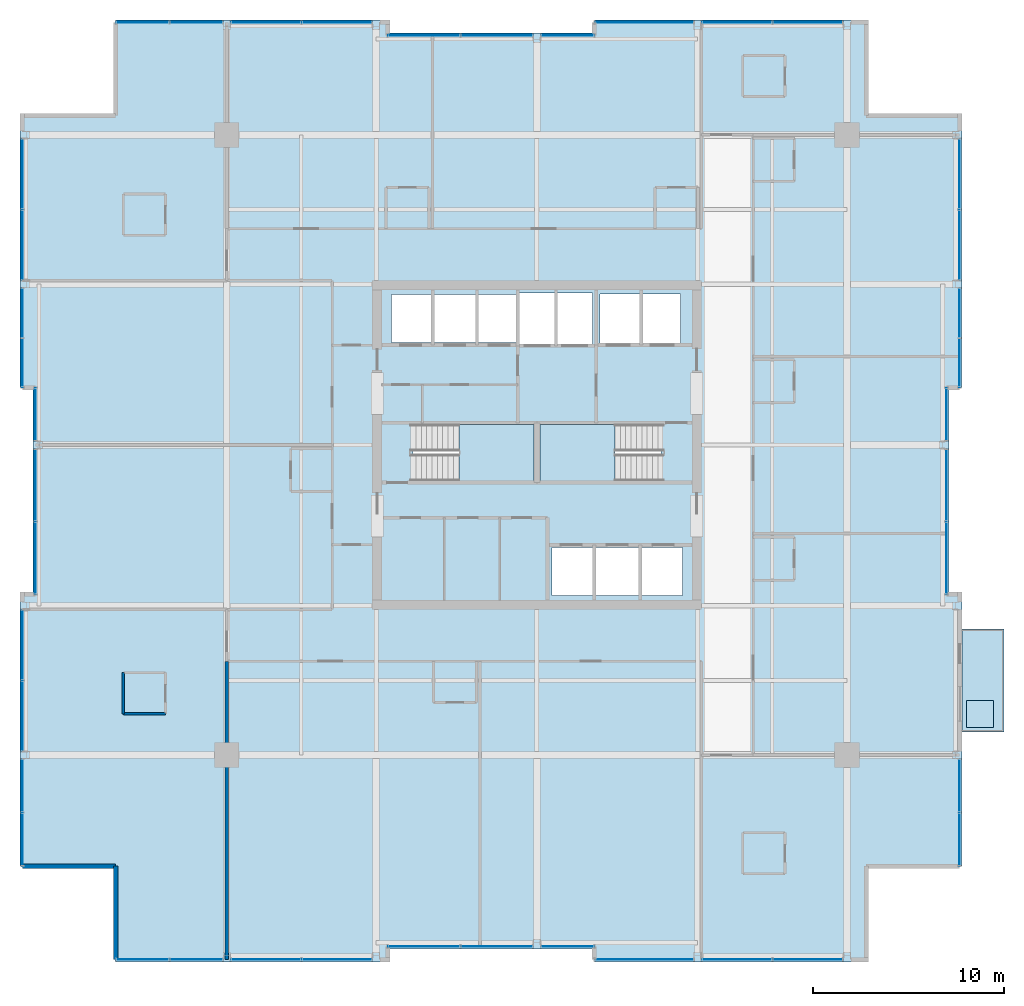
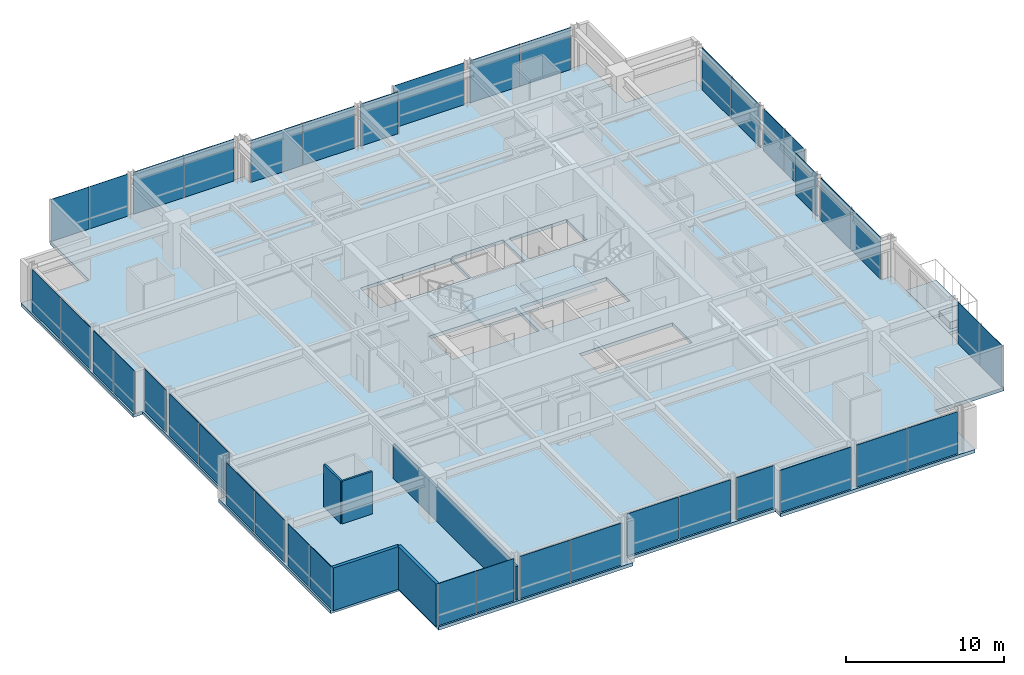
# One storey, part 26 of 32: 40 plates, 5 slabs, 5 walls, 25 elements without a shape of their own.
"""IFC4 building model written with IfcOpenShell, lengths in metres."""

from ifc_helpers import new_model, si_unit, direction, frame, frame_2d, origin, origin_2d, place, context, subcontext, project, spatial, polyline, rectangle, outline, extrude, material, layer, layer_set, type_object, element, aggregate, save


model = new_model("IFC4")

# Units and contexts
model_context = context("Model", 3, precision=1e-05, world=origin(), true_north=direction((0.0, 1.0)))
body_context = subcontext(model_context, "Body", "Model", "MODEL_VIEW")
ifc_project = project(units=[si_unit("LENGTHUNIT", "METRE"), si_unit("AREAUNIT", "SQUARE_METRE"), si_unit("VOLUMEUNIT", "CUBIC_METRE"), si_unit("PLANEANGLEUNIT", "RADIAN"), si_unit("MASSUNIT", "GRAM", prefix="KILO")], contexts=[model_context])

# Site, building, storey
site_placement = place(None, origin())
site = spatial("IfcSite", under=ifc_project, at=site_placement, CompositionType="ELEMENT")
building_placement = place(site_placement, origin())
building = spatial("IfcBuilding", under=site, at=building_placement, Name="Drelvath Grand Hotel", CompositionType="ELEMENT")
storey_placement = place(building_placement, frame((0.0, 0.0, 164.60009765625)))
storey = spatial("IfcBuildingStorey", under=building, at=storey_placement, Name="L42", CompositionType="ELEMENT", Elevation=164.60009765625)

# Slabs
ifc_material_1 = material(Name="Concrete f'c 40 MPa", Category="concrete")
ifc_layer_1 = layer(ifc_material_1, 0.239990234375)
ifc_layer_set_1 = layer_set([ifc_layer_1], Name="Concrete f'c 40 MPa")
slab_type_1 = type_object("IfcSlabType", Name="Cantilevered Tree Balcony Slab 240", PredefinedType="FLOOR", material=ifc_layer_set_1)
slab_1_placement = place(storey_placement, frame((0.0, 0.0, -0.239990234375)))
element("IfcSlab", 1, at=slab_1_placement, inside=storey, type_object=slab_type_1, Name="L42 Cantilevered Tree Balcony Slab 1", PredefinedType="FLOOR", context=body_context, shape_type="SweptSolid", body=[
    extrude(outline(polyline([(22.199951171875, 12.0), (24.39990234375, 12.0), (24.39990234375, 17.39990234375), (22.199951171875, 17.39990234375), (22.199951171875, 12.0)])), origin(), (0.0, 0.0, 1.0), 0.239990234375),
])
ifc_layer_2 = layer(ifc_material_1, 0.260009765625)
ifc_layer_set_2 = layer_set([ifc_layer_2], Name="Concrete f'c 40 MPa")
slab_type_2 = type_object("IfcSlabType", Name="Composite RC Floor Slab 260", PredefinedType="FLOOR", material=ifc_layer_set_2)
slab_2_placement = place(storey_placement, frame((0.0, 0.0, -0.260009765625)))
element("IfcSlab", 2, at=slab_2_placement, inside=storey, type_object=slab_type_2, Name="L42 Structural Floor Slab", PredefinedType="FLOOR", context=body_context, shape_type="SweptSolid", body=[
    extrude(outline(polyline([(-22.0, 0.0), (-7.800048828125, 0.0), (-7.800048828125, 0.679931640625), (3.0, 0.679931640625), (3.0, 0.0), (17.199951171875, 0.0), (17.199951171875, 5.0), (22.199951171875, 5.0), (22.199951171875, 19.199951171875), (21.52001953125, 19.199951171875), (21.52001953125, 30.0), (22.199951171875, 30.0), (22.199951171875, 44.199951171875), (17.199951171875, 44.199951171875), (17.199951171875, 49.199951171875), (3.0, 49.199951171875), (3.0, 48.52001953125), (-7.800048828125, 48.52001953125), (-7.800048828125, 49.199951171875), (-22.0, 49.199951171875), (-22.0, 44.199951171875), (-27.0, 44.199951171875), (-27.0, 30.0), (-26.320068359375, 30.0), (-26.320068359375, 19.199951171875), (-27.0, 19.199951171875), (-27.0, 5.0), (-22.0, 5.0), (-22.0, 0.0)]), holes=[polyline([(-6.47998046875, 25.1201171875), (-6.47998046875, 28.080078125), (-0.14990234375, 28.080078125), (-0.14990234375, 25.1201171875), (-6.47998046875, 25.1201171875)]), polyline([(0.14990234375, 25.1201171875), (0.14990234375, 28.080078125), (6.47998046875, 28.080078125), (6.47998046875, 25.1201171875), (0.14990234375, 25.1201171875)]), polyline([(0.800048828125, 19.14990234375), (0.800048828125, 21.64990234375), (7.60009765625, 21.64990234375), (7.60009765625, 19.14990234375), (0.800048828125, 19.14990234375)]), polyline([(-7.60009765625, 32.35009765625), (-7.60009765625, 34.85009765625), (-1.02001953125, 34.85009765625), (-1.02001953125, 32.35009765625), (-7.60009765625, 32.35009765625)]), polyline([(-0.89990234375, 32.25), (-0.89990234375, 34.949951171875), (2.89990234375, 34.949951171875), (2.89990234375, 32.25), (-0.89990234375, 32.25)]), polyline([(3.300048828125, 32.300048828125), (3.300048828125, 34.89990234375), (7.5, 34.89990234375), (7.5, 32.300048828125), (3.300048828125, 32.300048828125)])]), origin(), (0.0, 0.0, 1.0), 0.260009765625),
])

# Stair, slab
ifc_material_2 = material(Name="Concrete C40/50", Category="concrete")
stair_type = type_object("IfcStairType", Name="Dogleg Exit Stair W1400-R177.5", PredefinedType="HALF_TURN_STAIR", material=ifc_material_2)
stair_1_placement = place(storey_placement, origin())
stair_1 = element("IfcStair", 3, at=stair_1_placement, inside=storey, type_object=stair_type, Name="L42 Core Exit Stair ST-1", PredefinedType="HALF_TURN_STAIR")
ifc_layer_3 = layer(ifc_material_2, 0.199951171875)
ifc_layer_set_3 = layer_set([ifc_layer_3], Name="Concrete C40/50")
slab_type_3 = type_object("IfcSlabType", Name="Concrete Stair Landing Slab 200", PredefinedType="LANDING", material=ifc_layer_set_3)
slab_3_placement = place(storey_placement, frame((0.0, 0.0, 1.574951171875)))
slab_3 = element("IfcSlab", 4, at=slab_3_placement, type_object=slab_type_3, Name="ST-1 landing 1", PredefinedType="LANDING", context=body_context, shape_type="SweptSolid", body=[
    extrude(outline(polyline([(-4.080078125, 25.1201171875), (-0.14990234375, 25.1201171875), (-0.14990234375, 28.080078125), (-4.080078125, 28.080078125), (-4.080078125, 25.1201171875)])), origin(), (0.0, 0.0, 1.0), 0.199951171875),
])
aggregate(stair_1, [slab_3])

stair_2_placement = place(storey_placement, origin())
stair_2 = element("IfcStair", 5, at=stair_2_placement, inside=storey, type_object=stair_type, Name="L42 Core Exit Stair ST-2", PredefinedType="HALF_TURN_STAIR")
slab_4_placement = place(storey_placement, frame((0.0, 0.0, 1.574951171875)))
slab_4 = element("IfcSlab", 6, at=slab_4_placement, type_object=slab_type_3, Name="ST-2 landing 1", PredefinedType="LANDING", context=body_context, shape_type="SweptSolid", body=[
    extrude(outline(polyline([(4.080078125, 28.080078125), (0.14990234375, 28.080078125), (0.14990234375, 25.1201171875), (4.080078125, 25.1201171875), (4.080078125, 28.080078125)])), origin(), (0.0, 0.0, 1.0), 0.199951171875),
])
aggregate(stair_2, [slab_4])

# Curtain wall, plates
ifc_material_3 = material(Name="Brushed Pale-Silver Anodised Aluminium Frame", Category="aluminium")
ifc_layer_4 = layer(ifc_material_3, 0.199951171875)
ifc_layer_set_4 = layer_set([ifc_layer_4], Name="Brushed Pale-Silver Anodised Aluminium Frame")
curtain_wall_type = type_object("IfcCurtainWallType", Name="Stick Curtain Wall CW-04 Brushed Silver Upper-Mid", PredefinedType="NOTDEFINED", material=ifc_layer_set_4)
curtain_wall_1_placement = place(storey_placement, origin())
curtain_wall_1 = element("IfcCurtainWall", 7, at=curtain_wall_1_placement, inside=storey, type_object=curtain_wall_type, Name="L42 CW-04 Curtain Wall CW04-L42-WS1", PredefinedType="NOTDEFINED")
ifc_material_4 = material(Name="Low-E Triple Silver Vision Glass Cool", Category="glass")
ifc_layer_5 = layer(ifc_material_4, 0.035888671875)
ifc_layer_set_5 = layer_set([ifc_layer_5], Name="Low-E Triple Silver Vision Glass Cool")
plate_type = type_object("IfcPlateType", Name="Curtain Wall Vision Panel CW-04 36mm", PredefinedType="CURTAIN_PANEL", material=ifc_layer_set_5)
plate_1_placement = place(storey_placement, frame((-26.8798828125, 6.39990234375, 0.02001953125), z_axis=(0.0, 0.0, 1.0), x_axis=(0.0, 1.0, 0.0)))
plate_1 = element("IfcPlate", 8, at=plate_1_placement, type_object=plate_type, Name="CW04-L42-WS1 Glazed Panel 1", PredefinedType="CURTAIN_PANEL", context=body_context, shape_type="SweptSolid", body=[
    extrude(rectangle(XDim=2.760009765625, YDim=0.035888671875, at=origin_2d()), origin(), (0.0, 0.0, 1.0), 3.25),
])
plate_2_placement = place(storey_placement, frame((-26.8798828125, 9.199951171875, 0.02001953125), z_axis=(0.0, 0.0, 1.0), x_axis=(0.0, 1.0, 0.0)))
plate_2 = element("IfcPlate", 9, at=plate_2_placement, type_object=plate_type, Name="CW04-L42-WS1 Glazed Panel 2", PredefinedType="CURTAIN_PANEL", context=body_context, shape_type="SweptSolid", body=[
    extrude(rectangle(XDim=2.760009765625, YDim=0.035888671875, at=origin_2d()), origin(), (0.0, 0.0, 1.0), 3.25),
])
aggregate(curtain_wall_1, [plate_1, plate_2])

curtain_wall_2_placement = place(storey_placement, origin())
curtain_wall_2 = element("IfcCurtainWall", 10, at=curtain_wall_2_placement, inside=storey, type_object=curtain_wall_type, Name="L42 CW-04 Curtain Wall CW04-L42-WS2", PredefinedType="NOTDEFINED")
plate_3_placement = place(storey_placement, frame((-26.8798828125, 12.85009765625, 0.02001953125), z_axis=(0.0, 0.0, 1.0), x_axis=(0.0, 1.0, 0.0)))
plate_3 = element("IfcPlate", 11, at=plate_3_placement, type_object=plate_type, Name="CW04-L42-WS2 Glazed Panel 1", PredefinedType="CURTAIN_PANEL", context=body_context, shape_type="SweptSolid", body=[
    extrude(rectangle(XDim=3.659912109375, YDim=0.035888671875, at=origin_2d()), origin(), (0.0, 0.0, 1.0), 3.25),
])
plate_4_placement = place(storey_placement, frame((-26.8798828125, 16.550048828125, 0.02001953125), z_axis=(0.0, 0.0, 1.0), x_axis=(0.0, 1.0, 0.0)))
plate_4 = element("IfcPlate", 12, at=plate_4_placement, type_object=plate_type, Name="CW04-L42-WS2 Glazed Panel 2", PredefinedType="CURTAIN_PANEL", context=body_context, shape_type="SweptSolid", body=[
    extrude(rectangle(XDim=3.659912109375, YDim=0.035888671875, at=origin_2d()), origin(), (0.0, 0.0, 1.0), 3.25),
])
aggregate(curtain_wall_2, [plate_3, plate_4])

curtain_wall_3_placement = place(storey_placement, origin())
curtain_wall_3 = element("IfcCurtainWall", 13, at=curtain_wall_3_placement, inside=storey, type_object=curtain_wall_type, Name="L42 CW-04 Curtain Wall CW04-L42-WM1", PredefinedType="NOTDEFINED")
plate_5_placement = place(storey_placement, frame((-26.199951171875, 21.099853515625, 0.02001953125), z_axis=(0.0, 0.0, 1.0), x_axis=(0.0, 1.0, 0.0)))
plate_5 = element("IfcPlate", 14, at=plate_5_placement, type_object=plate_type, Name="CW04-L42-WM1 Glazed Panel 1", PredefinedType="CURTAIN_PANEL", context=body_context, shape_type="SweptSolid", body=[
    extrude(rectangle(XDim=3.760009765625, YDim=0.035888671875, at=origin_2d()), origin(), (0.0, 0.0, 1.0), 3.25),
])
plate_6_placement = place(storey_placement, frame((-26.199951171875, 24.89990234375, 0.02001953125), z_axis=(0.0, 0.0, 1.0), x_axis=(0.0, 1.0, 0.0)))
plate_6 = element("IfcPlate", 15, at=plate_6_placement, type_object=plate_type, Name="CW04-L42-WM1 Glazed Panel 2", PredefinedType="CURTAIN_PANEL", context=body_context, shape_type="SweptSolid", body=[
    extrude(rectangle(XDim=3.760009765625, YDim=0.035888671875, at=origin_2d()), origin(), (0.0, 0.0, 1.0), 3.25),
])
aggregate(curtain_wall_3, [plate_5, plate_6])

# Curtain wall, plate
curtain_wall_4_placement = place(storey_placement, origin())
curtain_wall_4 = element("IfcCurtainWall", 16, at=curtain_wall_4_placement, inside=storey, type_object=curtain_wall_type, Name="L42 CW-04 Curtain Wall CW04-L42-WM2", PredefinedType="NOTDEFINED")
plate_7_placement = place(storey_placement, frame((-26.199951171875, 28.60009765625, 0.02001953125), z_axis=(0.0, 0.0, 1.0), x_axis=(0.0, 1.0, 0.0)))
plate_7 = element("IfcPlate", 17, at=plate_7_placement, type_object=plate_type, Name="CW04-L42-WM2 Glazed Panel 1", PredefinedType="CURTAIN_PANEL", context=body_context, shape_type="SweptSolid", body=[
    extrude(rectangle(XDim=2.760009765625, YDim=0.035888671875, at=origin_2d()), origin(), (0.0, 0.0, 1.0), 3.25),
])
aggregate(curtain_wall_4, [plate_7])

# Curtain wall, plates
curtain_wall_5_placement = place(storey_placement, origin())
curtain_wall_5 = element("IfcCurtainWall", 18, at=curtain_wall_5_placement, inside=storey, type_object=curtain_wall_type, Name="L42 CW-04 Curtain Wall CW04-L42-WN1", PredefinedType="NOTDEFINED")
plate_8_placement = place(storey_placement, frame((-26.8798828125, 31.300048828125, 0.02001953125), z_axis=(0.0, 0.0, 1.0), x_axis=(0.0, 1.0, 0.0)))
plate_8 = element("IfcPlate", 19, at=plate_8_placement, type_object=plate_type, Name="CW04-L42-WN1 Glazed Panel 1", PredefinedType="CURTAIN_PANEL", context=body_context, shape_type="SweptSolid", body=[
    extrude(rectangle(XDim=2.56005859375, YDim=0.035888671875, at=origin_2d()), origin(), (0.0, 0.0, 1.0), 3.25),
])
plate_9_placement = place(storey_placement, frame((-26.8798828125, 33.89990234375, 0.02001953125), z_axis=(0.0, 0.0, 1.0), x_axis=(0.0, 1.0, 0.0)))
plate_9 = element("IfcPlate", 20, at=plate_9_placement, type_object=plate_type, Name="CW04-L42-WN1 Glazed Panel 2", PredefinedType="CURTAIN_PANEL", context=body_context, shape_type="SweptSolid", body=[
    extrude(rectangle(XDim=2.56005859375, YDim=0.035888671875, at=origin_2d()), origin(), (0.0, 0.0, 1.0), 3.25),
])
aggregate(curtain_wall_5, [plate_8, plate_9])

curtain_wall_6_placement = place(storey_placement, origin())
curtain_wall_6 = element("IfcCurtainWall", 21, at=curtain_wall_6_placement, inside=storey, type_object=curtain_wall_type, Name="L42 CW-04 Curtain Wall CW04-L42-WN2", PredefinedType="NOTDEFINED")
plate_10_placement = place(storey_placement, frame((-26.8798828125, 37.449951171875, 0.02001953125), z_axis=(0.0, 0.0, 1.0), x_axis=(0.0, 1.0, 0.0)))
plate_10 = element("IfcPlate", 22, at=plate_10_placement, type_object=plate_type, Name="CW04-L42-WN2 Glazed Panel 1", PredefinedType="CURTAIN_PANEL", context=body_context, shape_type="SweptSolid", body=[
    extrude(rectangle(XDim=3.659912109375, YDim=0.035888671875, at=origin_2d()), origin(), (0.0, 0.0, 1.0), 3.25),
])
plate_11_placement = place(storey_placement, frame((-26.8798828125, 41.14990234375, 0.02001953125), z_axis=(0.0, 0.0, 1.0), x_axis=(0.0, 1.0, 0.0)))
plate_11 = element("IfcPlate", 23, at=plate_11_placement, type_object=plate_type, Name="CW04-L42-WN2 Glazed Panel 2", PredefinedType="CURTAIN_PANEL", context=body_context, shape_type="SweptSolid", body=[
    extrude(rectangle(XDim=3.659912109375, YDim=0.035888671875, at=origin_2d()), origin(), (0.0, 0.0, 1.0), 3.25),
])
aggregate(curtain_wall_6, [plate_10, plate_11])

curtain_wall_7_placement = place(storey_placement, origin())
curtain_wall_7 = element("IfcCurtainWall", 24, at=curtain_wall_7_placement, inside=storey, type_object=curtain_wall_type, Name="L42 CW-04 Curtain Wall CW04-L42-EN1", PredefinedType="NOTDEFINED")
plate_12_placement = place(storey_placement, frame((22.080078125, 33.89990234375, 0.02001953125), z_axis=(0.0, 0.0, 1.0), x_axis=(0.0, -1.0, 0.0)))
plate_12 = element("IfcPlate", 25, at=plate_12_placement, type_object=plate_type, Name="CW04-L42-EN1 Glazed Panel 1", PredefinedType="CURTAIN_PANEL", context=body_context, shape_type="SweptSolid", body=[
    extrude(rectangle(XDim=2.56005859375, YDim=0.035888671875, at=origin_2d()), origin(), (0.0, 0.0, 1.0), 3.25),
])
plate_13_placement = place(storey_placement, frame((22.080078125, 31.300048828125, 0.02001953125), z_axis=(0.0, 0.0, 1.0), x_axis=(0.0, -1.0, 0.0)))
plate_13 = element("IfcPlate", 26, at=plate_13_placement, type_object=plate_type, Name="CW04-L42-EN1 Glazed Panel 2", PredefinedType="CURTAIN_PANEL", context=body_context, shape_type="SweptSolid", body=[
    extrude(rectangle(XDim=2.56005859375, YDim=0.035888671875, at=origin_2d()), origin(), (0.0, 0.0, 1.0), 3.25),
])
aggregate(curtain_wall_7, [plate_12, plate_13])

curtain_wall_8_placement = place(storey_placement, origin())
curtain_wall_8 = element("IfcCurtainWall", 27, at=curtain_wall_8_placement, inside=storey, type_object=curtain_wall_type, Name="L42 CW-04 Curtain Wall CW04-L42-EN2", PredefinedType="NOTDEFINED")
plate_14_placement = place(storey_placement, frame((22.080078125, 41.14990234375, 0.02001953125), z_axis=(0.0, 0.0, 1.0), x_axis=(0.0, -1.0, 0.0)))
plate_14 = element("IfcPlate", 28, at=plate_14_placement, type_object=plate_type, Name="CW04-L42-EN2 Glazed Panel 1", PredefinedType="CURTAIN_PANEL", context=body_context, shape_type="SweptSolid", body=[
    extrude(rectangle(XDim=3.659912109375, YDim=0.035888671875, at=origin_2d()), origin(), (0.0, 0.0, 1.0), 3.25),
])
plate_15_placement = place(storey_placement, frame((22.080078125, 37.449951171875, 0.02001953125), z_axis=(0.0, 0.0, 1.0), x_axis=(0.0, -1.0, 0.0)))
plate_15 = element("IfcPlate", 29, at=plate_15_placement, type_object=plate_type, Name="CW04-L42-EN2 Glazed Panel 2", PredefinedType="CURTAIN_PANEL", context=body_context, shape_type="SweptSolid", body=[
    extrude(rectangle(XDim=3.659912109375, YDim=0.035888671875, at=origin_2d()), origin(), (0.0, 0.0, 1.0), 3.25),
])
aggregate(curtain_wall_8, [plate_14, plate_15])

curtain_wall_9_placement = place(storey_placement, origin())
curtain_wall_9 = element("IfcCurtainWall", 30, at=curtain_wall_9_placement, inside=storey, type_object=curtain_wall_type, Name="L42 CW-04 Curtain Wall CW04-L42-EM1", PredefinedType="NOTDEFINED")
plate_16_placement = place(storey_placement, frame((21.39990234375, 24.89990234375, 0.02001953125), z_axis=(0.0, 0.0, 1.0), x_axis=(0.0, -1.0, 0.0)))
plate_16 = element("IfcPlate", 31, at=plate_16_placement, type_object=plate_type, Name="CW04-L42-EM1 Glazed Panel 1", PredefinedType="CURTAIN_PANEL", context=body_context, shape_type="SweptSolid", body=[
    extrude(rectangle(XDim=3.760009765625, YDim=0.035888671875, at=origin_2d()), origin(), (0.0, 0.0, 1.0), 3.25),
])
plate_17_placement = place(storey_placement, frame((21.39990234375, 21.099853515625, 0.02001953125), z_axis=(0.0, 0.0, 1.0), x_axis=(0.0, -1.0, 0.0)))
plate_17 = element("IfcPlate", 32, at=plate_17_placement, type_object=plate_type, Name="CW04-L42-EM1 Glazed Panel 2", PredefinedType="CURTAIN_PANEL", context=body_context, shape_type="SweptSolid", body=[
    extrude(rectangle(XDim=3.760009765625, YDim=0.035888671875, at=origin_2d()), origin(), (0.0, 0.0, 1.0), 3.25),
])
aggregate(curtain_wall_9, [plate_16, plate_17])

# Curtain wall, plate
curtain_wall_10_placement = place(storey_placement, origin())
curtain_wall_10 = element("IfcCurtainWall", 33, at=curtain_wall_10_placement, inside=storey, type_object=curtain_wall_type, Name="L42 CW-04 Curtain Wall CW04-L42-EM2", PredefinedType="NOTDEFINED")
plate_18_placement = place(storey_placement, frame((21.39990234375, 28.60009765625, 0.02001953125), z_axis=(0.0, 0.0, 1.0), x_axis=(0.0, -1.0, 0.0)))
plate_18 = element("IfcPlate", 34, at=plate_18_placement, type_object=plate_type, Name="CW04-L42-EM2 Glazed Panel 1", PredefinedType="CURTAIN_PANEL", context=body_context, shape_type="SweptSolid", body=[
    extrude(rectangle(XDim=2.760009765625, YDim=0.035888671875, at=origin_2d()), origin(), (0.0, 0.0, 1.0), 3.25),
])
aggregate(curtain_wall_10, [plate_18])

# Curtain wall, plates
curtain_wall_11_placement = place(storey_placement, origin())
curtain_wall_11 = element("IfcCurtainWall", 35, at=curtain_wall_11_placement, inside=storey, type_object=curtain_wall_type, Name="L42 CW-04 Curtain Wall CW04-L42-ES1", PredefinedType="NOTDEFINED")
plate_19_placement = place(storey_placement, frame((22.080078125, 9.199951171875, 0.02001953125), z_axis=(0.0, 0.0, 1.0), x_axis=(0.0, -1.0, 0.0)))
plate_19 = element("IfcPlate", 36, at=plate_19_placement, type_object=plate_type, Name="CW04-L42-ES1 Glazed Panel 1", PredefinedType="CURTAIN_PANEL", context=body_context, shape_type="SweptSolid", body=[
    extrude(rectangle(XDim=2.760009765625, YDim=0.035888671875, at=origin_2d()), origin(), (0.0, 0.0, 1.0), 3.25),
])
plate_20_placement = place(storey_placement, frame((22.080078125, 6.39990234375, 0.02001953125), z_axis=(0.0, 0.0, 1.0), x_axis=(0.0, -1.0, 0.0)))
plate_20 = element("IfcPlate", 37, at=plate_20_placement, type_object=plate_type, Name="CW04-L42-ES1 Glazed Panel 2", PredefinedType="CURTAIN_PANEL", context=body_context, shape_type="SweptSolid", body=[
    extrude(rectangle(XDim=2.760009765625, YDim=0.035888671875, at=origin_2d()), origin(), (0.0, 0.0, 1.0), 3.25),
])
aggregate(curtain_wall_11, [plate_19, plate_20])

curtain_wall_12_placement = place(storey_placement, origin())
curtain_wall_12 = element("IfcCurtainWall", 38, at=curtain_wall_12_placement, inside=storey, type_object=curtain_wall_type, Name="L42 CW-04 Curtain Wall CW04-L42-NW1", PredefinedType="NOTDEFINED")
plate_21_placement = place(storey_placement, frame((-20.60009765625, 49.080078125, 0.02001953125), z_axis=(0.0, 0.0, 1.0), x_axis=(1.0, 0.0, 0.0)))
plate_21 = element("IfcPlate", 39, at=plate_21_placement, type_object=plate_type, Name="CW04-L42-NW1 Glazed Panel 1", PredefinedType="CURTAIN_PANEL", context=body_context, shape_type="SweptSolid", body=[
    extrude(rectangle(XDim=2.760009765625, YDim=0.035888671875, at=origin_2d()), origin(), (0.0, 0.0, 1.0), 3.25),
])
plate_22_placement = place(storey_placement, frame((-17.800048828125, 49.080078125, 0.02001953125), z_axis=(0.0, 0.0, 1.0), x_axis=(1.0, 0.0, 0.0)))
plate_22 = element("IfcPlate", 40, at=plate_22_placement, type_object=plate_type, Name="CW04-L42-NW1 Glazed Panel 2", PredefinedType="CURTAIN_PANEL", context=body_context, shape_type="SweptSolid", body=[
    extrude(rectangle(XDim=2.760009765625, YDim=0.035888671875, at=origin_2d()), origin(), (0.0, 0.0, 1.0), 3.25),
])
aggregate(curtain_wall_12, [plate_21, plate_22])

curtain_wall_13_placement = place(storey_placement, origin())
curtain_wall_13 = element("IfcCurtainWall", 41, at=curtain_wall_13_placement, inside=storey, type_object=curtain_wall_type, Name="L42 CW-04 Curtain Wall CW04-L42-NW2", PredefinedType="NOTDEFINED")
plate_23_placement = place(storey_placement, frame((-14.14990234375, 49.080078125, 0.02001953125), z_axis=(0.0, 0.0, 1.0), x_axis=(1.0, 0.0, 0.0)))
plate_23 = element("IfcPlate", 42, at=plate_23_placement, type_object=plate_type, Name="CW04-L42-NW2 Glazed Panel 1", PredefinedType="CURTAIN_PANEL", context=body_context, shape_type="SweptSolid", body=[
    extrude(rectangle(XDim=3.659912109375, YDim=0.035888671875, at=origin_2d()), origin(), (0.0, 0.0, 1.0), 3.25),
])
plate_24_placement = place(storey_placement, frame((-10.4501953125, 49.080078125, 0.02001953125), z_axis=(0.0, 0.0, 1.0), x_axis=(1.0, 0.0, 0.0)))
plate_24 = element("IfcPlate", 43, at=plate_24_placement, type_object=plate_type, Name="CW04-L42-NW2 Glazed Panel 2", PredefinedType="CURTAIN_PANEL", context=body_context, shape_type="SweptSolid", body=[
    extrude(rectangle(XDim=3.659912109375, YDim=0.035888671875, at=origin_2d()), origin(), (0.0, 0.0, 1.0), 3.25),
])
aggregate(curtain_wall_13, [plate_23, plate_24])

curtain_wall_14_placement = place(storey_placement, origin())
curtain_wall_14 = element("IfcCurtainWall", 44, at=curtain_wall_14_placement, inside=storey, type_object=curtain_wall_type, Name="L42 CW-04 Curtain Wall CW04-L42-NM1", PredefinedType="NOTDEFINED")
plate_25_placement = place(storey_placement, frame((-5.89990234375, 48.39990234375, 0.02001953125), z_axis=(0.0, 0.0, 1.0), x_axis=(1.0, 0.0, 0.0)))
plate_25 = element("IfcPlate", 45, at=plate_25_placement, type_object=plate_type, Name="CW04-L42-NM1 Glazed Panel 1", PredefinedType="CURTAIN_PANEL", context=body_context, shape_type="SweptSolid", body=[
    extrude(rectangle(XDim=3.760009765625, YDim=0.035888671875, at=origin_2d()), origin(), (0.0, 0.0, 1.0), 3.25),
])
plate_26_placement = place(storey_placement, frame((-2.10009765625, 48.39990234375, 0.02001953125), z_axis=(0.0, 0.0, 1.0), x_axis=(1.0, 0.0, 0.0)))
plate_26 = element("IfcPlate", 46, at=plate_26_placement, type_object=plate_type, Name="CW04-L42-NM1 Glazed Panel 2", PredefinedType="CURTAIN_PANEL", context=body_context, shape_type="SweptSolid", body=[
    extrude(rectangle(XDim=3.760009765625, YDim=0.035888671875, at=origin_2d()), origin(), (0.0, 0.0, 1.0), 3.25),
])
aggregate(curtain_wall_14, [plate_25, plate_26])

# Curtain wall, plate
curtain_wall_15_placement = place(storey_placement, origin())
curtain_wall_15 = element("IfcCurtainWall", 47, at=curtain_wall_15_placement, inside=storey, type_object=curtain_wall_type, Name="L42 CW-04 Curtain Wall CW04-L42-NM2", PredefinedType="NOTDEFINED")
plate_27_placement = place(storey_placement, frame((1.60009765625, 48.39990234375, 0.02001953125), z_axis=(0.0, 0.0, 1.0), x_axis=(1.0, 0.0, 0.0)))
plate_27 = element("IfcPlate", 48, at=plate_27_placement, type_object=plate_type, Name="CW04-L42-NM2 Glazed Panel 1", PredefinedType="CURTAIN_PANEL", context=body_context, shape_type="SweptSolid", body=[
    extrude(rectangle(XDim=2.760009765625, YDim=0.035888671875, at=origin_2d()), origin(), (0.0, 0.0, 1.0), 3.25),
])
aggregate(curtain_wall_15, [plate_27])

curtain_wall_16_placement = place(storey_placement, origin())
curtain_wall_16 = element("IfcCurtainWall", 49, at=curtain_wall_16_placement, inside=storey, type_object=curtain_wall_type, Name="L42 CW-04 Curtain Wall CW04-L42-NE1", PredefinedType="NOTDEFINED")
plate_28_placement = place(storey_placement, frame((5.599853515625, 49.080078125, 0.02001953125), z_axis=(0.0, 0.0, 1.0), x_axis=(1.0, 0.0, 0.0)))
plate_28 = element("IfcPlate", 50, at=plate_28_placement, type_object=plate_type, Name="CW04-L42-NE1 Glazed Panel 1", PredefinedType="CURTAIN_PANEL", context=body_context, shape_type="SweptSolid", body=[
    extrude(rectangle(XDim=5.159912109375, YDim=0.035888671875, at=origin_2d()), origin(), (0.0, 0.0, 1.0), 3.25),
])
aggregate(curtain_wall_16, [plate_28])

# Curtain wall, plates
curtain_wall_17_placement = place(storey_placement, origin())
curtain_wall_17 = element("IfcCurtainWall", 51, at=curtain_wall_17_placement, inside=storey, type_object=curtain_wall_type, Name="L42 CW-04 Curtain Wall CW04-L42-NE2", PredefinedType="NOTDEFINED")
plate_29_placement = place(storey_placement, frame((10.4501953125, 49.080078125, 0.02001953125), z_axis=(0.0, 0.0, 1.0), x_axis=(1.0, 0.0, 0.0)))
plate_29 = element("IfcPlate", 52, at=plate_29_placement, type_object=plate_type, Name="CW04-L42-NE2 Glazed Panel 1", PredefinedType="CURTAIN_PANEL", context=body_context, shape_type="SweptSolid", body=[
    extrude(rectangle(XDim=3.659912109375, YDim=0.035888671875, at=origin_2d()), origin(), (0.0, 0.0, 1.0), 3.25),
])
plate_30_placement = place(storey_placement, frame((14.14990234375, 49.080078125, 0.02001953125), z_axis=(0.0, 0.0, 1.0), x_axis=(1.0, 0.0, 0.0)))
plate_30 = element("IfcPlate", 53, at=plate_30_placement, type_object=plate_type, Name="CW04-L42-NE2 Glazed Panel 2", PredefinedType="CURTAIN_PANEL", context=body_context, shape_type="SweptSolid", body=[
    extrude(rectangle(XDim=3.659912109375, YDim=0.035888671875, at=origin_2d()), origin(), (0.0, 0.0, 1.0), 3.25),
])
aggregate(curtain_wall_17, [plate_29, plate_30])

# Curtain wall, plate
curtain_wall_18_placement = place(storey_placement, origin())
curtain_wall_18 = element("IfcCurtainWall", 54, at=curtain_wall_18_placement, inside=storey, type_object=curtain_wall_type, Name="L42 CW-04 Curtain Wall CW04-L42-SE1", PredefinedType="NOTDEFINED")
plate_31_placement = place(storey_placement, frame((5.599853515625, 0.1201171875, 0.02001953125), z_axis=(0.0, 0.0, 1.0), x_axis=(-1.0, 0.0, 0.0)))
plate_31 = element("IfcPlate", 55, at=plate_31_placement, type_object=plate_type, Name="CW04-L42-SE1 Glazed Panel 1", PredefinedType="CURTAIN_PANEL", context=body_context, shape_type="SweptSolid", body=[
    extrude(rectangle(XDim=5.159912109375, YDim=0.035888671875, at=origin_2d()), origin(), (0.0, 0.0, 1.0), 3.25),
])
aggregate(curtain_wall_18, [plate_31])

# Curtain wall, plates
curtain_wall_19_placement = place(storey_placement, origin())
curtain_wall_19 = element("IfcCurtainWall", 56, at=curtain_wall_19_placement, inside=storey, type_object=curtain_wall_type, Name="L42 CW-04 Curtain Wall CW04-L42-SE2", PredefinedType="NOTDEFINED")
plate_32_placement = place(storey_placement, frame((14.14990234375, 0.1201171875, 0.02001953125), z_axis=(0.0, 0.0, 1.0), x_axis=(-1.0, 0.0, 0.0)))
plate_32 = element("IfcPlate", 57, at=plate_32_placement, type_object=plate_type, Name="CW04-L42-SE2 Glazed Panel 1", PredefinedType="CURTAIN_PANEL", context=body_context, shape_type="SweptSolid", body=[
    extrude(rectangle(XDim=3.659912109375, YDim=0.035888671875, at=origin_2d()), origin(), (0.0, 0.0, 1.0), 3.25),
])
plate_33_placement = place(storey_placement, frame((10.4501953125, 0.1201171875, 0.02001953125), z_axis=(0.0, 0.0, 1.0), x_axis=(-1.0, 0.0, 0.0)))
plate_33 = element("IfcPlate", 58, at=plate_33_placement, type_object=plate_type, Name="CW04-L42-SE2 Glazed Panel 2", PredefinedType="CURTAIN_PANEL", context=body_context, shape_type="SweptSolid", body=[
    extrude(rectangle(XDim=3.659912109375, YDim=0.035888671875, at=origin_2d()), origin(), (0.0, 0.0, 1.0), 3.25),
])
aggregate(curtain_wall_19, [plate_32, plate_33])

curtain_wall_20_placement = place(storey_placement, origin())
curtain_wall_20 = element("IfcCurtainWall", 59, at=curtain_wall_20_placement, inside=storey, type_object=curtain_wall_type, Name="L42 CW-04 Curtain Wall CW04-L42-SM1", PredefinedType="NOTDEFINED")
plate_34_placement = place(storey_placement, frame((-2.10009765625, 0.800048828125, 0.02001953125), z_axis=(0.0, 0.0, 1.0), x_axis=(-1.0, 0.0, 0.0)))
plate_34 = element("IfcPlate", 60, at=plate_34_placement, type_object=plate_type, Name="CW04-L42-SM1 Glazed Panel 1", PredefinedType="CURTAIN_PANEL", context=body_context, shape_type="SweptSolid", body=[
    extrude(rectangle(XDim=3.760009765625, YDim=0.035888671875, at=origin_2d()), origin(), (0.0, 0.0, 1.0), 3.25),
])
plate_35_placement = place(storey_placement, frame((-5.89990234375, 0.800048828125, 0.02001953125), z_axis=(0.0, 0.0, 1.0), x_axis=(-1.0, 0.0, 0.0)))
plate_35 = element("IfcPlate", 61, at=plate_35_placement, type_object=plate_type, Name="CW04-L42-SM1 Glazed Panel 2", PredefinedType="CURTAIN_PANEL", context=body_context, shape_type="SweptSolid", body=[
    extrude(rectangle(XDim=3.760009765625, YDim=0.035888671875, at=origin_2d()), origin(), (0.0, 0.0, 1.0), 3.25),
])
aggregate(curtain_wall_20, [plate_34, plate_35])

# Curtain wall, plate
curtain_wall_21_placement = place(storey_placement, origin())
curtain_wall_21 = element("IfcCurtainWall", 62, at=curtain_wall_21_placement, inside=storey, type_object=curtain_wall_type, Name="L42 CW-04 Curtain Wall CW04-L42-SM2", PredefinedType="NOTDEFINED")
plate_36_placement = place(storey_placement, frame((1.60009765625, 0.800048828125, 0.02001953125), z_axis=(0.0, 0.0, 1.0), x_axis=(-1.0, 0.0, 0.0)))
plate_36 = element("IfcPlate", 63, at=plate_36_placement, type_object=plate_type, Name="CW04-L42-SM2 Glazed Panel 1", PredefinedType="CURTAIN_PANEL", context=body_context, shape_type="SweptSolid", body=[
    extrude(rectangle(XDim=2.760009765625, YDim=0.035888671875, at=origin_2d()), origin(), (0.0, 0.0, 1.0), 3.25),
])
aggregate(curtain_wall_21, [plate_36])

# Curtain wall, plates
curtain_wall_22_placement = place(storey_placement, origin())
curtain_wall_22 = element("IfcCurtainWall", 64, at=curtain_wall_22_placement, inside=storey, type_object=curtain_wall_type, Name="L42 CW-04 Curtain Wall CW04-L42-SW1", PredefinedType="NOTDEFINED")
plate_37_placement = place(storey_placement, frame((-17.800048828125, 0.1201171875, 0.02001953125), z_axis=(0.0, 0.0, 1.0), x_axis=(-1.0, 0.0, 0.0)))
plate_37 = element("IfcPlate", 65, at=plate_37_placement, type_object=plate_type, Name="CW04-L42-SW1 Glazed Panel 1", PredefinedType="CURTAIN_PANEL", context=body_context, shape_type="SweptSolid", body=[
    extrude(rectangle(XDim=2.760009765625, YDim=0.035888671875, at=origin_2d()), origin(), (0.0, 0.0, 1.0), 3.25),
])
plate_38_placement = place(storey_placement, frame((-20.60009765625, 0.1201171875, 0.02001953125), z_axis=(0.0, 0.0, 1.0), x_axis=(-1.0, 0.0, 0.0)))
plate_38 = element("IfcPlate", 66, at=plate_38_placement, type_object=plate_type, Name="CW04-L42-SW1 Glazed Panel 2", PredefinedType="CURTAIN_PANEL", context=body_context, shape_type="SweptSolid", body=[
    extrude(rectangle(XDim=2.760009765625, YDim=0.035888671875, at=origin_2d()), origin(), (0.0, 0.0, 1.0), 3.25),
])
aggregate(curtain_wall_22, [plate_37, plate_38])

curtain_wall_23_placement = place(storey_placement, origin())
curtain_wall_23 = element("IfcCurtainWall", 67, at=curtain_wall_23_placement, inside=storey, type_object=curtain_wall_type, Name="L42 CW-04 Curtain Wall CW04-L42-SW2", PredefinedType="NOTDEFINED")
plate_39_placement = place(storey_placement, frame((-10.4501953125, 0.1201171875, 0.02001953125), z_axis=(0.0, 0.0, 1.0), x_axis=(-1.0, 0.0, 0.0)))
plate_39 = element("IfcPlate", 68, at=plate_39_placement, type_object=plate_type, Name="CW04-L42-SW2 Glazed Panel 1", PredefinedType="CURTAIN_PANEL", context=body_context, shape_type="SweptSolid", body=[
    extrude(rectangle(XDim=3.659912109375, YDim=0.035888671875, at=origin_2d()), origin(), (0.0, 0.0, 1.0), 3.25),
])
plate_40_placement = place(storey_placement, frame((-14.14990234375, 0.1201171875, 0.02001953125), z_axis=(0.0, 0.0, 1.0), x_axis=(-1.0, 0.0, 0.0)))
plate_40 = element("IfcPlate", 69, at=plate_40_placement, type_object=plate_type, Name="CW04-L42-SW2 Glazed Panel 2", PredefinedType="CURTAIN_PANEL", context=body_context, shape_type="SweptSolid", body=[
    extrude(rectangle(XDim=3.659912109375, YDim=0.035888671875, at=origin_2d()), origin(), (0.0, 0.0, 1.0), 3.25),
])
aggregate(curtain_wall_23, [plate_39, plate_40])

# Slab
ifc_layer_6 = layer(ifc_material_1, 0.550048828125)
ifc_layer_set_6 = layer_set([ifc_layer_6], Name="Concrete f'c 40 MPa")
slab_type_4 = type_object("IfcSlabType", Name="Structural Tree Planter Box 550", PredefinedType="USERDEFINED", material=ifc_layer_set_6)
slab_5_placement = place(storey_placement, origin())
element("IfcSlab", 70, at=slab_5_placement, inside=storey, type_object=slab_type_4, Name="L42 Tree Balcony Structural Planter 1", ObjectType="PLANTER", PredefinedType="USERDEFINED", context=body_context, shape_type="SweptSolid", body=[
    extrude(outline(polyline([(22.449951171875, 12.25), (23.85009765625, 12.25), (23.85009765625, 13.64990234375), (22.449951171875, 13.64990234375), (22.449951171875, 12.25)])), origin(), (0.0, 0.0, 1.0), 0.5498046875),
])

# Walls
ifc_material_5 = material(Name="Moisture-Resistant Gypsum Board")
ifc_layer_7 = layer(ifc_material_5, 0.139892578125)
ifc_layer_set_7 = layer_set([ifc_layer_7], Name="Moisture-Resistant Gypsum Board")
wall_type_1 = type_object("IfcWallType", Name="En-Suite Plumbing Wall 140", PredefinedType="PLUMBINGWALL", material=ifc_layer_set_7)
wall_1_placement = place(storey_placement, frame((-21.60009765625, 12.9599609375, 0.0), z_axis=(0.0, 0.0, 1.0), x_axis=(1.0, 0.0, 0.0)))
element("IfcWall", 71, at=wall_1_placement, inside=storey, type_object=wall_type_1, Name="L42 Corner En-Suite South", PredefinedType="PLUMBINGWALL", context=body_context, shape_type="SweptSolid", body=[
    extrude(rectangle(XDim=2.2001953125, YDim=0.139892578125, at=frame_2d((1.10009765625, 0.0))), origin(), (0.0, 0.0, 1.0), 3.289794921875),
])
wall_2_placement = place(storey_placement, frame((-21.60009765625, 12.9599609375, 0.0), z_axis=(0.0, 0.0, 1.0), x_axis=(0.0, 1.0, 0.0)))
element("IfcWall", 72, at=wall_2_placement, inside=storey, type_object=wall_type_1, Name="L42 Corner En-Suite West", PredefinedType="PLUMBINGWALL", context=body_context, shape_type="SweptSolid", body=[
    extrude(rectangle(XDim=2.150146484375, YDim=0.139892578125, at=frame_2d((1.0751953125, 0.0))), origin(), (0.0, 0.0, 1.0), 3.289794921875),
])
ifc_material_6 = material(Name="Gypsum Acoustic Partition")
ifc_layer_8 = layer(ifc_material_6, 0.1650390625)
ifc_layer_set_8 = layer_set([ifc_layer_8], Name="Gypsum Acoustic Partition")
wall_type_2 = type_object("IfcWallType", Name="Suite Demising Wall 165", PredefinedType="PARTITIONING", material=ifc_layer_set_8)
wall_3_placement = place(storey_placement, frame((-16.199951171875, 0.1201171875, 0.0), z_axis=(0.0, 0.0, 1.0), x_axis=(0.0, 1.0, 0.0)))
element("IfcWall", 73, at=wall_3_placement, inside=storey, type_object=wall_type_2, Name="L42 SW Suite East Wall", PredefinedType="PARTITIONING", context=body_context, shape_type="SweptSolid", body=[
    extrude(rectangle(XDim=15.579833984375, YDim=0.1650390625, at=frame_2d((7.7900390625, 0.0))), origin(), (0.0, 0.0, 1.0), 2.579345703125),
])
ifc_material_7 = material(Name="Pale-Metal Insulated Aluminium Spandrel Assembly", Category="aluminium")
ifc_layer_9 = layer(ifc_material_7, 0.239990234375)
ifc_layer_set_9 = layer_set([ifc_layer_9], Name="Pale-Metal Insulated Aluminium Spandrel Assembly")
wall_type_3 = type_object("IfcWallType", Name="Tower Insulated Metal Spandrel Closure Wall 240", PredefinedType="STANDARD", material=ifc_layer_set_9)
for number, where, z_axis, x_axis, name in (
    (74, (-22.0, 0.1201171875, 0.0), (0.0, 0.0, 1.0), (0.0, 1.0, 0.0), "L42 Notched Corner Return Spandrel Wall CSW1"),
    (75, (-22.0, 5.0, 0.0), (0.0, 0.0, 1.0), (-1.0, 0.0, 0.0), "L42 Notched Corner Return Spandrel Wall CSW2"),
):
    element("IfcWall", number, at=place(storey_placement, frame(where, z_axis=z_axis, x_axis=x_axis)), inside=storey, type_object=wall_type_3, Name=name, PredefinedType="STANDARD", context=body_context, shape_type="SweptSolid", body=[
        extrude(rectangle(XDim=4.8798828125, YDim=0.239990234375, at=frame_2d((2.43994140625, 0.0))), origin(), (0.0, 0.0, 1.0), 3.289794921875),
    ])

save(model, "model.ifc")
